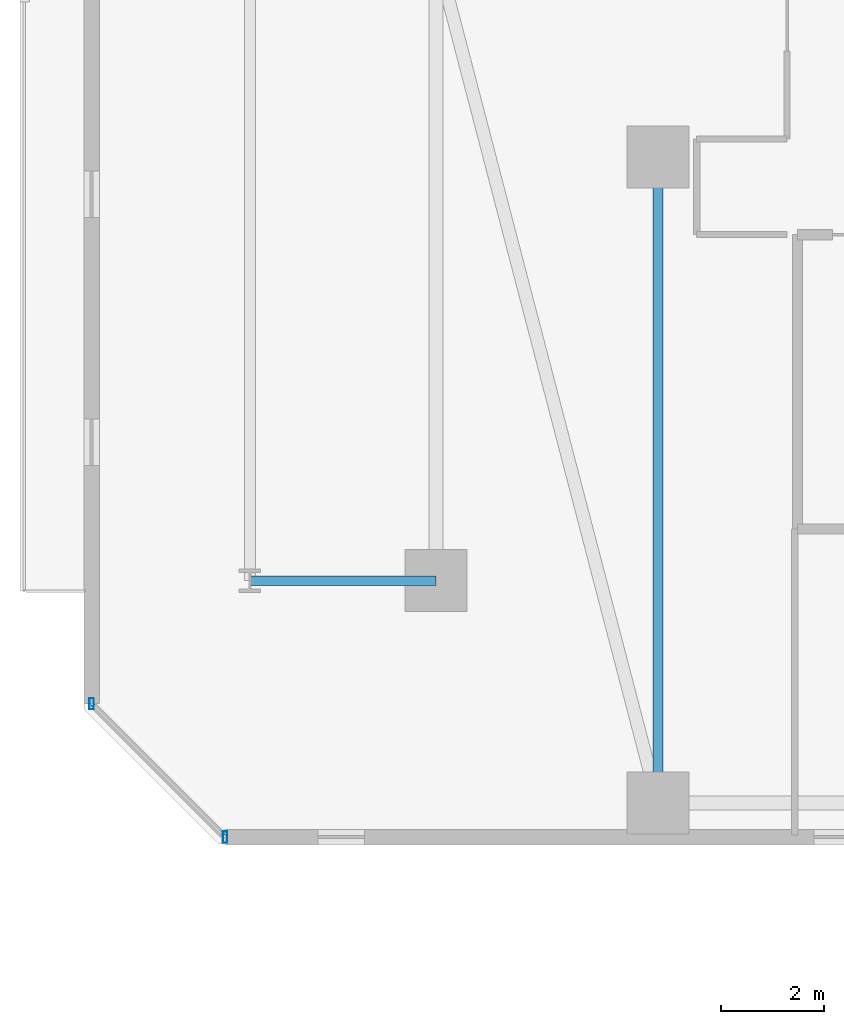
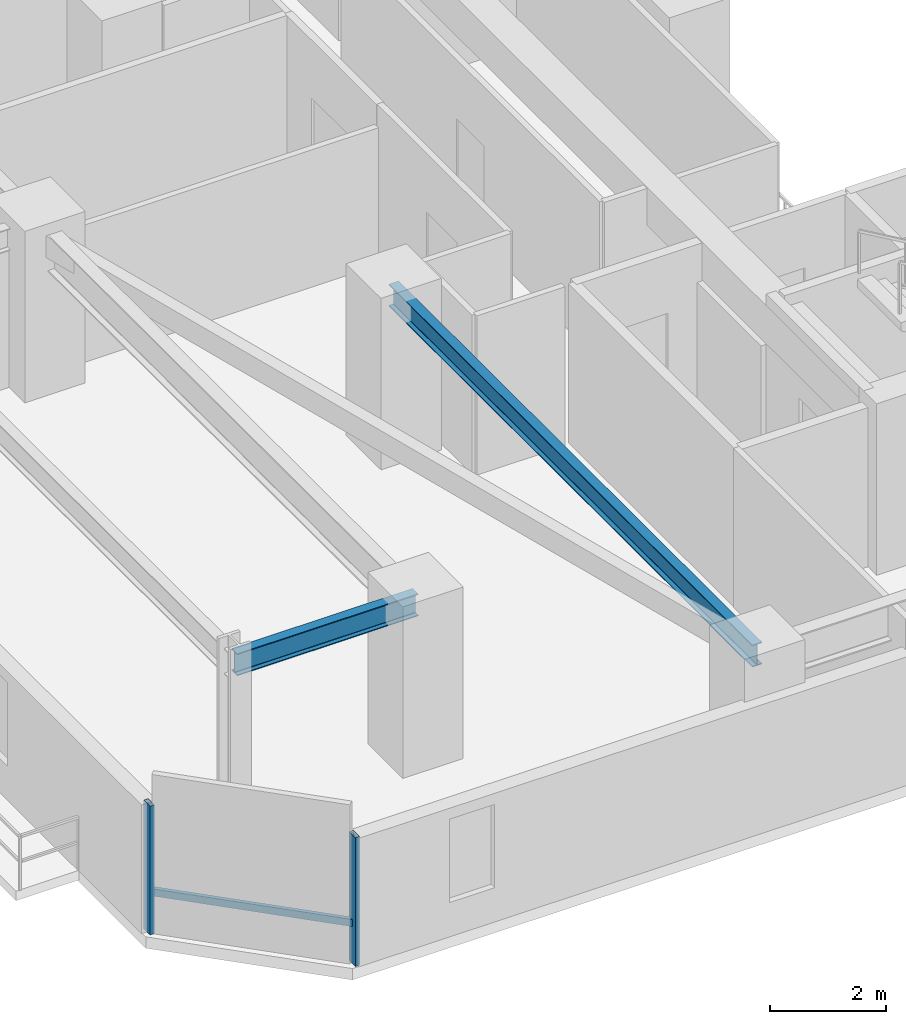
# One storey, part 3 of 33: 3 members, 2 beams, 1 element without a shape of its own.
"""IFC4 building model written with IfcOpenShell, lengths in metres."""

import ifcopenshell
import ifcopenshell.guid

model = None  # the IFC model being written
_history = None  # IfcOwnerHistory: only IFC2X3 demands one
_inside = {}  # id of a spatial element -> (the spatial element, [elements in it])
_under = {}  # id of a project, library or spatial element -> (it, [spatial elements below it])
_declared = {}  # id of a project -> (the project, [libraries it declares])
_typed = {}  # id of a type object -> (the type object, [elements of that type])
_made_of = {}  # id of a material, layer set ... -> (it, [elements and type objects made of it])


def new_model(schema):
    """Start an empty IFC model of exactly this schema.

    Asked for "IFC4X3", IfcOpenShell would pick the latest addendum, in which some entities
    have other attributes; the version numbers below select the first issue.
    IFC2X3 requires an IfcOwnerHistory on every rooted entity: one is made here for all.
    """
    global model, _history
    if schema == "IFC4X3":
        model = ifcopenshell.file(schema_version=(4, 3, 0, 0))
    else:
        model = ifcopenshell.file(schema=schema)
    _inside.clear()
    _under.clear()
    _declared.clear()
    _typed.clear()
    _made_of.clear()
    _history = None
    if model.schema == "IFC2X3":
        org = make("IfcOrganization", Name="unknown")
        user = make(
            "IfcPersonAndOrganization",
            ThePerson=make("IfcPerson", FamilyName="unknown"),
            TheOrganization=org,
        )
        app = make(
            "IfcApplication",
            ApplicationDeveloper=org,
            Version="unknown",
            ApplicationFullName="unknown",
            ApplicationIdentifier="unknown",
        )
        _history = make(
            "IfcOwnerHistory",
            OwningUser=user,
            OwningApplication=app,
            ChangeAction="ADDED",
            CreationDate=0,
        )
    return model


def make(cls, **values):
    """One entity of the class cls with the attributes given. An attribute that is None is left unset."""
    return model.create_entity(
        cls, **{name: value for name, value in values.items() if value is not None}
    )


def rooted(cls, **values):
    """An entity with a GlobalId (a new one), such as an element, a storey or a relation."""
    return make(cls, GlobalId=ifcopenshell.guid.new(), OwnerHistory=_history, **values)


def si_unit(unit_type, name, prefix=None):
    """IfcSIUnit, for example si_unit("LENGTHUNIT", "METRE", prefix="MILLI")."""
    return make("IfcSIUnit", UnitType=unit_type, Prefix=prefix, Name=name)


def assignment(units):
    """IfcUnitAssignment: the units of a project."""
    return None if units is None else make("IfcUnitAssignment", Units=units)


def point(xyz):
    """IfcCartesianPoint."""
    return None if xyz is None else make("IfcCartesianPoint", Coordinates=xyz)


def direction(xyz):
    """IfcDirection."""
    return None if xyz is None else make("IfcDirection", DirectionRatios=xyz)


def frame(location, z_axis=None, x_axis=None):
    """IfcAxis2Placement3D, a coordinate frame: its origin and axes. An axis left out is left unset."""
    return make(
        "IfcAxis2Placement3D",
        Location=point(location),
        Axis=direction(z_axis),
        RefDirection=direction(x_axis),
    )


def frame_2d(location, x_axis=None):
    """IfcAxis2Placement2D, a coordinate frame in the plane: its origin and x axis."""
    return make(
        "IfcAxis2Placement2D", Location=point(location), RefDirection=direction(x_axis)
    )


def origin():
    """The frame at (0, 0, 0) with its axes left unset."""
    return frame((0.0, 0.0, 0.0))


def origin_2d():
    """The frame at (0, 0) in the plane with its x axis left unset."""
    return frame_2d((0.0, 0.0))


def place(relative_to, where):
    """IfcLocalPlacement: puts the frame where relative to a parent placement (None: the world)."""
    return make(
        "IfcLocalPlacement", PlacementRelTo=relative_to, RelativePlacement=where
    )


def context(
    kind, dimensions, precision=None, world=None, true_north=None, identifier=None
):
    """IfcGeometricRepresentationContext, for example the 3D "Model" context."""
    return make(
        "IfcGeometricRepresentationContext",
        ContextIdentifier=identifier,
        ContextType=kind,
        CoordinateSpaceDimension=dimensions,
        Precision=precision,
        WorldCoordinateSystem=world,
        TrueNorth=true_north,
    )


def subcontext(parent, identifier, kind, view, scale=None):
    """IfcGeometricRepresentationSubContext, for example "Body" below "Model"."""
    return make(
        "IfcGeometricRepresentationSubContext",
        ContextIdentifier=identifier,
        ContextType=kind,
        ParentContext=parent,
        TargetScale=scale,
        TargetView=view,
    )


def project(units=None, contexts=None):
    """IfcProject with its units and contexts."""
    return rooted(
        "IfcProject",
        Name="project",
        RepresentationContexts=contexts,
        UnitsInContext=assignment(units),
    )


def spatial(cls, under=None, at=None, **own):
    """A site, building, storey or space (cls), placed at a placement, below another one or the project."""
    s = rooted(cls, ObjectPlacement=at, **own)
    if under is not None:
        _under.setdefault(under.id(), (under, []))[1].append(s)
    return s


def profile(cls, at=None, kind="AREA", **sizes):
    """A parametric profile (cls). Its sizes go by their IFC names, for example OverallWidth=200.0."""
    return make(cls, ProfileType=kind, Position=at, **sizes)


def hollow_rectangle(**sizes):
    """IfcRectangleHollowProfileDef."""
    return profile("IfcRectangleHollowProfileDef", **sizes)


def i_section(**sizes):
    """IfcIShapeProfileDef."""
    return profile("IfcIShapeProfileDef", **sizes)


def extrude(swept, where, along, depth):
    """IfcExtrudedAreaSolid: the profile swept, set in the frame where, extruded along a direction by depth."""
    return make(
        "IfcExtrudedAreaSolid",
        SweptArea=swept,
        Position=where,
        ExtrudedDirection=direction(along),
        Depth=depth,
    )


def shape(context_of_items, identifier, shape_type, items):
    """IfcShapeRepresentation: the items that make up one representation, for example the "Body"."""
    return make(
        "IfcShapeRepresentation",
        ContextOfItems=context_of_items,
        RepresentationIdentifier=identifier,
        RepresentationType=shape_type,
        Items=items,
    )


def material(Name=None, Category=None):
    """IfcMaterial."""
    return make("IfcMaterial", Name=Name, Category=Category)


def material_profile(
    of_material, cross_section, Name=None, Category=None, Priority=None
):
    """IfcMaterialProfile: a cross section and its material."""
    return make(
        "IfcMaterialProfile",
        Name=Name,
        Material=of_material,
        Profile=cross_section,
        Priority=Priority,
        Category=Category,
    )


def profile_set(profiles, Name=None, composite=None):
    """IfcMaterialProfileSet."""
    return make(
        "IfcMaterialProfileSet",
        Name=Name,
        MaterialProfiles=profiles,
        CompositeProfile=composite,
    )


def made_of(thing, what):
    """Note that an element or type object is made of a material, layer set ...; save() writes the relation."""
    if what is not None:
        _made_of.setdefault(what.id(), (what, []))[1].append(thing)
    return thing


def type_object(cls, material=None, **own):
    """A type object (cls), such as IfcWallType, which elements share."""
    return made_of(rooted(cls, **own), material)


def element(
    cls,
    number,
    at=None,
    inside=None,
    cuts=None,
    type_object=None,
    material=None,
    context=None,
    identifier="Body",
    shape_type=None,
    held_by="IfcProductDefinitionShape",
    body=None,
    shapes=None,
    **own,
):
    """One element of the class cls, such as IfcWall. Its Tag is "e" and its number.

    at: its placement. inside: the storey or other place that contains it. cuts: it is an
    opening in that element (IfcRelVoidsElement). A single representation is given by context,
    identifier, shape_type and body (its items); several are given by shapes. held_by: the class
    of the entity that holds the representations. save() writes the other relations.
    """
    e = rooted(cls, Tag="e%d" % number, ObjectPlacement=at, **own)
    if body is not None:
        shapes = [shape(context, identifier, shape_type, body)]
    if shapes is not None:
        e.Representation = make(held_by, Representations=shapes)
    if inside is not None:
        _inside.setdefault(inside.id(), (inside, []))[1].append(e)
    if cuts is not None:
        rooted(
            "IfcRelVoidsElement", RelatingBuildingElement=cuts, RelatedOpeningElement=e
        )
    if type_object is not None:
        _typed.setdefault(type_object.id(), (type_object, []))[1].append(e)
    return made_of(e, material)


def aggregate(whole, parts):
    """IfcRelAggregates: a whole, such as a stair, and the parts it consists of."""
    return rooted("IfcRelAggregates", RelatingObject=whole, RelatedObjects=parts)


def save(model, path):
    """Write the relations noted so far, then the file.

    IfcRelAggregates (storeys below a building ...), IfcRelContainedInSpatialStructure (elements
    in a storey), IfcRelDefinesByType, IfcRelAssociatesMaterial and IfcRelDeclares: one each for
    every whole, place, type object, material and project.
    """
    for whole, parts in _under.values():
        aggregate(whole, parts)
    for where, things in _inside.values():
        rooted(
            "IfcRelContainedInSpatialStructure",
            RelatedElements=things,
            RelatingStructure=where,
        )
    for kind, things in _typed.values():
        rooted("IfcRelDefinesByType", RelatedObjects=things, RelatingType=kind)
    for what, things in _made_of.values():
        rooted("IfcRelAssociatesMaterial", RelatedObjects=things, RelatingMaterial=what)
    for by, libraries in _declared.values():
        rooted("IfcRelDeclares", RelatingContext=by, RelatedDefinitions=libraries)
    model.write(path)


model = new_model("IFC4")

# Units and contexts
model_context = context("Model", 3, precision=1e-05, world=origin(), true_north=direction((0.0, 1.0)))
body_context = subcontext(model_context, "Body", "Model", "MODEL_VIEW")
ifc_project = project(units=[si_unit("LENGTHUNIT", "METRE"), si_unit("AREAUNIT", "SQUARE_METRE"), si_unit("VOLUMEUNIT", "CUBIC_METRE"), si_unit("PLANEANGLEUNIT", "RADIAN"), si_unit("MASSUNIT", "GRAM", prefix="KILO")], contexts=[model_context])

# Site, building, storey
site_placement = place(None, origin())
site = spatial("IfcSite", under=ifc_project, at=site_placement, CompositionType="ELEMENT")
building_placement = place(site_placement, origin())
building = spatial("IfcBuilding", under=site, at=building_placement, Name="Thornwick Lancets Civic Towers", CompositionType="ELEMENT")
storey_placement = place(building_placement, frame((0.0, 0.0, 108.89990234375)))
storey = spatial("IfcBuildingStorey", under=building, at=storey_placement, Name="L28", CompositionType="ELEMENT", Elevation=108.89990234375)

# Beams
ifc_material_1 = material(Name="Steel S355JR", Category="steel")
ifc_material_profile_1 = material_profile(ifc_material_1, i_section(OverallWidth=0.19189453125, OverallDepth=0.46337890625, WebThickness=0.010498046875, FlangeThickness=0.017578125, FilletRadius=0.01025390625, at=origin_2d()), Name="UKB 457x191x89")
ifc_profile_set_1 = profile_set([ifc_material_profile_1], Name="Steel S355JR")
beam_type = type_object("IfcBeamType", Name="BM_JOIST_457_89", PredefinedType="JOIST", material=ifc_profile_set_1)
beam_1_placement = place(storey_placement, frame((12.5, 22.199951171875, 3.12841796875), z_axis=(0.0, -1.0, 0.0), x_axis=(1.0, 0.0, 0.0)))
element("IfcBeam", 1, at=beam_1_placement, inside=storey, type_object=beam_type, Name="BM-RADIN-L28-A01", PredefinedType="JOIST", context=body_context, shape_type="SweptSolid", body=[
    extrude(i_section(OverallWidth=0.19189453125, OverallDepth=0.46337890625, WebThickness=0.010498046875, FlangeThickness=0.017578125, FilletRadius=0.01025390625, at=origin_2d()), origin(), (0.0, 0.0, 1.0), 12.5),
])
beam_2_placement = place(storey_placement, frame((8.199951171875, 14.0, 3.12841796875), z_axis=(-1.0, 0.0, 0.0), x_axis=(0.0, -1.0, 0.0)))
element("IfcBeam", 2, at=beam_2_placement, inside=storey, type_object=beam_type, Name="BM-RAD-L28-A10", PredefinedType="JOIST", context=body_context, shape_type="SweptSolid", body=[
    extrude(i_section(OverallWidth=0.19189453125, OverallDepth=0.46337890625, WebThickness=0.010498046875, FlangeThickness=0.017578125, FilletRadius=0.01025390625, at=origin_2d()), origin(), (0.0, 0.0, 1.0), 3.599853515625),
])

# Curtain wall, members
ifc_material_2 = material(Name="Low-zone chamfered-corner unitised glass curtain wall", Category="glass")
curtain_wall_type = type_object("IfcCurtainWallType", Name="CW_SYS_03", PredefinedType="NOTDEFINED", material=ifc_material_2)
curtain_wall_placement = place(storey_placement, origin())
curtain_wall = element("IfcCurtainWall", 3, at=curtain_wall_placement, inside=storey, type_object=curtain_wall_type, Name="L28 Curtain Wall CW-L28-A-E7", PredefinedType="NOTDEFINED")
ifc_material_3 = material(Name="Thermally broken bronze aluminium S355", Category="steel")
ifc_material_profile_2 = material_profile(ifc_material_3, hollow_rectangle(XDim=0.090087890625, YDim=0.219970703125, WallThickness=0.00634765625, at=origin_2d()), Name="RHS 220x90x6.3")
ifc_profile_set_2 = profile_set([ifc_material_profile_2], Name="Thermally broken bronze aluminium S355")
member_type_1 = type_object("IfcMemberType", Name="CW_MUL_220", PredefinedType="MULLION", material=ifc_profile_set_2)
member_1_placement = place(storey_placement, frame((1.535400390625, 11.61865234375, 0.0), z_axis=(0.0, 0.0, 1.0), x_axis=(1.0, 0.0, 0.0)))
member_1 = element("IfcMember", 4, at=member_1_placement, type_object=member_type_1, Name="CW-L28-A-E7 Mullion 0", PredefinedType="MULLION", context=body_context, shape_type="SweptSolid", body=[
    extrude(hollow_rectangle(XDim=0.090087890625, YDim=0.219970703125, WallThickness=0.00634765625, at=origin_2d()), origin(), (0.0, 0.0, 1.0), 2.7001953125),
])
member_2_placement = place(storey_placement, frame((4.11865234375, 9.035400390625, 0.0), z_axis=(0.0, 0.0, 1.0), x_axis=(1.0, 0.0, 0.0)))
member_2 = element("IfcMember", 5, at=member_2_placement, type_object=member_type_1, Name="CW-L28-A-E7 Mullion 1", PredefinedType="MULLION", context=body_context, shape_type="SweptSolid", body=[
    extrude(hollow_rectangle(XDim=0.090087890625, YDim=0.219970703125, WallThickness=0.00634765625, at=origin_2d()), origin(), (0.0, 0.0, 1.0), 2.7001953125),
])
ifc_material_profile_3 = material_profile(ifc_material_3, hollow_rectangle(XDim=0.074951171875, YDim=0.14990234375, WallThickness=0.0048828125, at=origin_2d()), Name="RHS 150x75x5")
ifc_profile_set_3 = profile_set([ifc_material_profile_3], Name="Thermally broken bronze aluminium S355")
member_type_2 = type_object("IfcMemberType", Name="CW_TRN_150", PredefinedType="USERDEFINED", material=ifc_profile_set_3)
member_3_placement = place(storey_placement, frame((1.54931640625, 11.6044921875, 0.85009765625), z_axis=(0.707106781187, -0.707106781187, 0.0), x_axis=(0.707106781187, 0.707106781187, 0.0)))
member_3 = element("IfcMember", 6, at=member_3_placement, type_object=member_type_2, Name="CW-L28-A-E7 Transom 0", ObjectType="TRANSOM", PredefinedType="USERDEFINED", context=body_context, shape_type="SweptSolid", body=[
    extrude(hollow_rectangle(XDim=0.074951171875, YDim=0.14990234375, WallThickness=0.0048828125, at=origin_2d()), origin(), (0.0, 0.0, 1.0), 3.613525390625),
])
aggregate(curtain_wall, [member_1, member_2, member_3])

save(model, "model.ifc")
